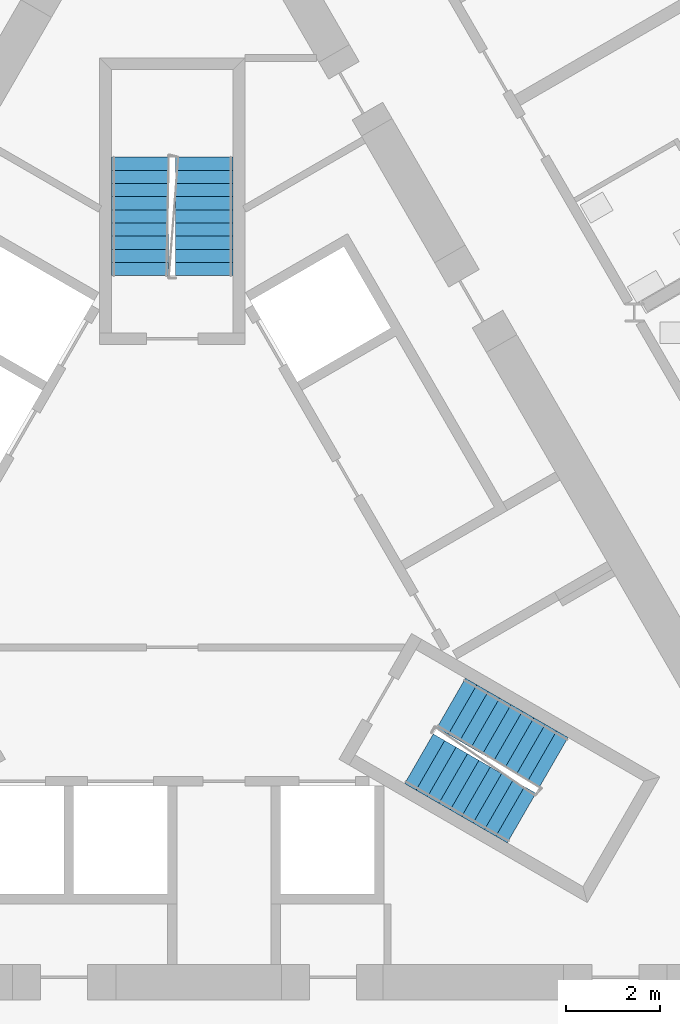
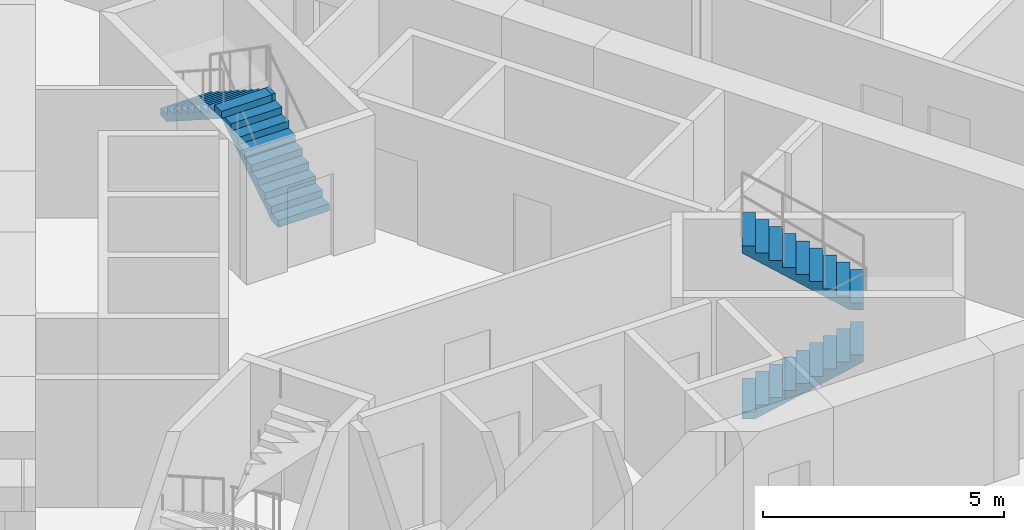
# One storey, part 16 of 24: 4 stair flights, 2 elements without a shape of their own.
"""IFC4 building model written with IfcOpenShell, lengths in metres."""

from ifc_helpers import new_model, si_unit, direction, frame, origin, place, context, subcontext, project, spatial, polyline, outline, extrude, material, type_object, element, aggregate, save


model = new_model("IFC4")

# Units and contexts
model_context = context("Model", 3, precision=1e-05, world=origin(), true_north=direction((0.0, 1.0)))
body_context = subcontext(model_context, "Body", "Model", "MODEL_VIEW")
ifc_project = project(units=[si_unit("LENGTHUNIT", "METRE"), si_unit("AREAUNIT", "SQUARE_METRE"), si_unit("VOLUMEUNIT", "CUBIC_METRE"), si_unit("PLANEANGLEUNIT", "RADIAN"), si_unit("MASSUNIT", "GRAM", prefix="KILO")], contexts=[model_context])

# Site, building, storey
site_placement = place(None, origin())
site = spatial("IfcSite", under=ifc_project, at=site_placement, CompositionType="ELEMENT")
building_placement = place(site_placement, origin())
building = spatial("IfcBuilding", under=site, at=building_placement, Name="Cormorant Prow Tower", CompositionType="ELEMENT")
storey_placement = place(building_placement, frame((0.0, 0.0, 205.199951171875)))
storey = spatial("IfcBuildingStorey", under=building, at=storey_placement, Name="L45", CompositionType="ELEMENT", Elevation=205.199951171875)

# Stair, stair flights
ifc_material_1 = material(Name="Exit stair 20 risers")
stair_type = type_object("IfcStairType", Name="Exit stair 20 risers", PredefinedType="HALF_TURN_STAIR", material=ifc_material_1)
stair_1_placement = place(storey_placement, origin())
stair_1 = element("IfcStair", 1, at=stair_1_placement, inside=storey, type_object=stair_type, Name="L45 Exit stair ST2", PredefinedType="HALF_TURN_STAIR")
ifc_material_2 = material(Name="Concrete 5000 psi", Category="concrete")
stair_flight_type = type_object("IfcStairFlightType", Name="Stair flight 1219", PredefinedType="STRAIGHT", material=ifc_material_2)
stair_flight_1_placement = place(storey_placement, frame((5.24853515625, -3.82080078125, 0.0), z_axis=(0.0, 0.0, 1.0), x_axis=(0.866025403784, -0.5, 0.0)))
stair_flight_1 = element("IfcStairFlight", 2, at=stair_flight_1_placement, type_object=stair_flight_type, Name="ST2 flight 1", NumberOfRisers=10, NumberOfTreads=9, PredefinedType="STRAIGHT", RiserHeight=0.18, TreadLength=0.28, context=body_context, shape_type="SweptSolid", body=[
    extrude(outline(polyline([(0.0, 0.0), (0.0, 0.179931640625), (0.280029296875, 0.179931640625), (0.280029296875, 0.360107421875), (0.56005859375, 0.360107421875), (0.56005859375, 0.5400390625), (0.840087890625, 0.5400390625), (0.840087890625, 0.719970703125), (1.1201171875, 0.719970703125), (1.1201171875, 0.89990234375), (1.39990234375, 0.89990234375), (1.39990234375, 1.080078125), (1.679931640625, 1.080078125), (1.679931640625, 1.260009765625), (1.9599609375, 1.260009765625), (1.9599609375, 1.43994140625), (2.239990234375, 1.43994140625), (2.239990234375, 1.6201171875), (2.52001953125, 1.6201171875), (2.52001953125, 1.800048828125), (2.52001953125, 1.44189453125), (0.277099609375, 0.0), (0.0, 0.0)])), frame((0.0, 0.609375, 0.0), z_axis=(0.0, -1.0, 0.0), x_axis=(1.0, 0.0, 0.0)), (0.0, 0.0, 1.0), 1.218994140625),
])
stair_flight_2_placement = place(storey_placement, frame((8.115478515625, -3.89501953125, 1.800048828125), z_axis=(0.0, 0.0, 1.0), x_axis=(-0.866025403784, 0.5, 0.0)))
stair_flight_2 = element("IfcStairFlight", 3, at=stair_flight_2_placement, type_object=stair_flight_type, Name="ST2 flight 2", NumberOfRisers=10, NumberOfTreads=9, PredefinedType="STRAIGHT", RiserHeight=0.18, TreadLength=0.28, context=body_context, shape_type="SweptSolid", body=[
    extrude(outline(polyline([(0.0, 0.0), (0.0, 0.179931640625), (0.280029296875, 0.179931640625), (0.280029296875, 0.360107421875), (0.56005859375, 0.360107421875), (0.56005859375, 0.5400390625), (0.840087890625, 0.5400390625), (0.840087890625, 0.719970703125), (1.1201171875, 0.719970703125), (1.1201171875, 0.89990234375), (1.39990234375, 0.89990234375), (1.39990234375, 1.080078125), (1.679931640625, 1.080078125), (1.679931640625, 1.260009765625), (1.9599609375, 1.260009765625), (1.9599609375, 1.43994140625), (2.239990234375, 1.43994140625), (2.239990234375, 1.6201171875), (2.52001953125, 1.6201171875), (2.52001953125, 1.800048828125), (2.52001953125, 1.44189453125), (0.277099609375, 0.0), (0.0, 0.0)])), frame((0.0, 0.609375, 0.0), z_axis=(0.0, -1.0, 0.0), x_axis=(1.0, 0.0, 0.0)), (0.0, 0.0, 1.0), 1.218994140625),
])
aggregate(stair_1, [stair_flight_1, stair_flight_2])

stair_2_placement = place(storey_placement, origin())
stair_2 = element("IfcStair", 4, at=stair_2_placement, inside=storey, type_object=stair_type, Name="L45 Exit stair ST3", PredefinedType="HALF_TURN_STAIR")
stair_flight_3_placement = place(storey_placement, frame((0.6845703125, 6.455810546875, 0.0), z_axis=(0.0, 0.0, 1.0), x_axis=(0.0, 1.0, 0.0)))
stair_flight_3 = element("IfcStairFlight", 5, at=stair_flight_3_placement, type_object=stair_flight_type, Name="ST3 flight 1", NumberOfRisers=10, NumberOfTreads=9, PredefinedType="STRAIGHT", RiserHeight=0.18, TreadLength=0.28, context=body_context, shape_type="SweptSolid", body=[
    extrude(outline(polyline([(0.0, 0.0), (0.0, 0.179931640625), (0.280029296875, 0.179931640625), (0.280029296875, 0.360107421875), (0.56005859375, 0.360107421875), (0.56005859375, 0.5400390625), (0.840087890625, 0.5400390625), (0.840087890625, 0.719970703125), (1.1201171875, 0.719970703125), (1.1201171875, 0.89990234375), (1.39990234375, 0.89990234375), (1.39990234375, 1.080078125), (1.679931640625, 1.080078125), (1.679931640625, 1.260009765625), (1.9599609375, 1.260009765625), (1.9599609375, 1.43994140625), (2.239990234375, 1.43994140625), (2.239990234375, 1.6201171875), (2.52001953125, 1.6201171875), (2.52001953125, 1.800048828125), (2.52001953125, 1.44189453125), (0.277099609375, 0.0), (0.0, 0.0)])), frame((0.0, 0.609375, 0.0), z_axis=(0.0, -1.0, 0.0), x_axis=(1.0, 0.0, 0.0)), (0.0, 0.0, 1.0), 1.218994140625),
])
stair_flight_4_placement = place(storey_placement, frame((-0.6845703125, 8.975830078125, 1.800048828125), z_axis=(0.0, 0.0, 1.0), x_axis=(0.0, -1.0, 0.0)))
stair_flight_4 = element("IfcStairFlight", 6, at=stair_flight_4_placement, type_object=stair_flight_type, Name="ST3 flight 2", NumberOfRisers=10, NumberOfTreads=9, PredefinedType="STRAIGHT", RiserHeight=0.18, TreadLength=0.28, context=body_context, shape_type="SweptSolid", body=[
    extrude(outline(polyline([(0.0, 0.0), (0.0, 0.179931640625), (0.280029296875, 0.179931640625), (0.280029296875, 0.360107421875), (0.56005859375, 0.360107421875), (0.56005859375, 0.5400390625), (0.840087890625, 0.5400390625), (0.840087890625, 0.719970703125), (1.1201171875, 0.719970703125), (1.1201171875, 0.89990234375), (1.39990234375, 0.89990234375), (1.39990234375, 1.080078125), (1.679931640625, 1.080078125), (1.679931640625, 1.260009765625), (1.9599609375, 1.260009765625), (1.9599609375, 1.43994140625), (2.239990234375, 1.43994140625), (2.239990234375, 1.6201171875), (2.52001953125, 1.6201171875), (2.52001953125, 1.800048828125), (2.52001953125, 1.44189453125), (0.277099609375, 0.0), (0.0, 0.0)])), frame((0.0, 0.609375, 0.0), z_axis=(0.0, -1.0, 0.0), x_axis=(1.0, 0.0, 0.0)), (0.0, 0.0, 1.0), 1.218994140625),
])
aggregate(stair_2, [stair_flight_3, stair_flight_4])

save(model, "model.ifc")
